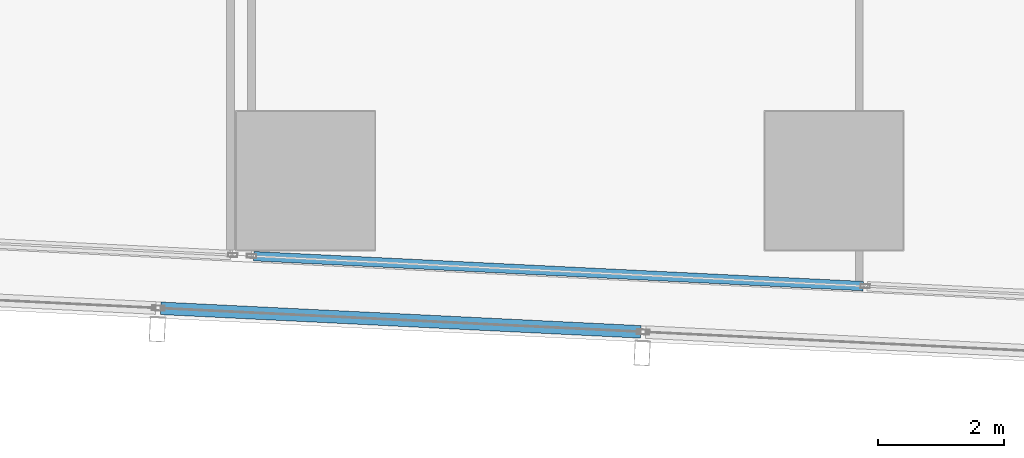
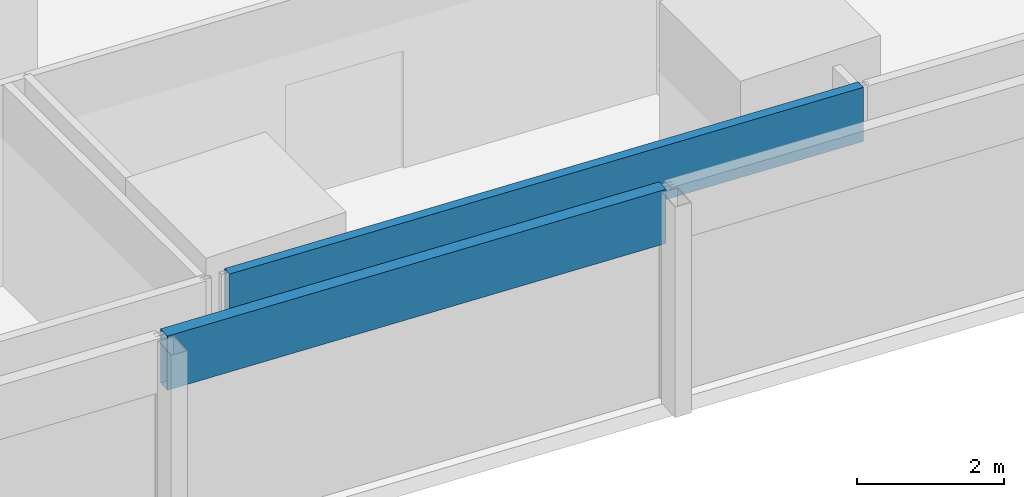
# One storey, part 3 of 42: 2 members, 2 elements without a shape of their own.
"""IFC4 building model written with IfcOpenShell, lengths in metres."""

from ifc_helpers import new_model, si_unit, direction, frame, origin, origin_2d, place, context, subcontext, project, spatial, hollow_rectangle, extrude, material, material_profile, profile_set, type_object, element, aggregate, save


model = new_model("IFC4")

# Units and contexts
model_context = context("Model", 3, precision=1e-05, world=origin(), true_north=direction((0.0, 1.0)))
body_context = subcontext(model_context, "Body", "Model", "MODEL_VIEW")
ifc_project = project(units=[si_unit("LENGTHUNIT", "METRE"), si_unit("AREAUNIT", "SQUARE_METRE"), si_unit("VOLUMEUNIT", "CUBIC_METRE"), si_unit("PLANEANGLEUNIT", "RADIAN"), si_unit("MASSUNIT", "GRAM", prefix="KILO")], contexts=[model_context])

# Site, building, storey
site_placement = place(None, origin())
site = spatial("IfcSite", under=ifc_project, at=site_placement, CompositionType="ELEMENT")
building_placement = place(site_placement, origin())
building = spatial("IfcBuilding", under=site, at=building_placement, Name="Rekha Terrace Tower", CompositionType="ELEMENT")
storey_placement = place(building_placement, frame((0.0, 0.0, 70.39990234375)))
storey = spatial("IfcBuildingStorey", under=building, at=storey_placement, Name="L17", CompositionType="ELEMENT", Elevation=70.39990234375)

# Curtain wall, member
ifc_material_1 = material(Name="Aluminium framing", Category="aluminium")
curtain_wall_type_1 = type_object("IfcCurtainWallType", Name="CW1 double skin inner glazing", PredefinedType="USERDEFINED", material=ifc_material_1)
curtain_wall_1_placement = place(storey_placement, origin())
curtain_wall_1 = element("IfcCurtainWall", 1, at=curtain_wall_1_placement, inside=storey, type_object=curtain_wall_type_1, Name="CW1 double skin inner glazing", ObjectType="DOUBLE SKIN INNER GLAZING", PredefinedType="USERDEFINED")
ifc_material_2 = material(Name="Insulated aluminium spandrel box", Category="aluminium")
ifc_material_profile_1 = material_profile(ifc_material_2, hollow_rectangle(XDim=0.14990234375, YDim=0.89990234375, WallThickness=0.0029296875, at=origin_2d()), Name="AL SPANDREL BOX 150x900")
ifc_profile_set_1 = profile_set([ifc_material_profile_1], Name="Insulated aluminium spandrel box")
member_type_1 = type_object("IfcMemberType", Name="CW1 spandrel transom 150 x 900", PredefinedType="USERDEFINED", material=ifc_profile_set_1)
member_1_placement = place(storey_placement, frame((15.973388671875, 7.200927734375, 3.050048828125), z_axis=(0.99879655824, -0.049045236754, 0.0), x_axis=(0.049045236754, 0.99879655824, 0.0)))
member_1 = element("IfcMember", 2, at=member_1_placement, type_object=member_type_1, Name="CW1 spandrel transom 1", ObjectType="TRANSOM", PredefinedType="USERDEFINED", context=body_context, shape_type="SweptSolid", body=[
    extrude(hollow_rectangle(XDim=0.14990234375, YDim=0.89990234375, WallThickness=0.0029296875, at=origin_2d()), origin(), (0.0, 0.0, 1.0), 9.701904296875),
])
aggregate(curtain_wall_1, [member_1])

curtain_wall_type_2 = type_object("IfcCurtainWallType", Name="CW2 double skin outer glazing", PredefinedType="USERDEFINED", material=ifc_material_1)
curtain_wall_2_placement = place(storey_placement, origin())
curtain_wall_2 = element("IfcCurtainWall", 3, at=curtain_wall_2_placement, inside=storey, type_object=curtain_wall_type_2, Name="CW2 double skin outer glazing", ObjectType="DOUBLE SKIN OUTER GLAZING", PredefinedType="USERDEFINED")
ifc_material_profile_2 = material_profile(ifc_material_2, hollow_rectangle(XDim=0.199951171875, YDim=0.89990234375, WallThickness=0.0029296875, at=origin_2d()), Name="AL SPANDREL BOX 200x900")
ifc_profile_set_2 = profile_set([ifc_material_profile_2], Name="Insulated aluminium spandrel box")
member_type_2 = type_object("IfcMemberType", Name="CW2 spandrel transom 200 x 900", PredefinedType="USERDEFINED", material=ifc_profile_set_2)
member_2_placement = place(storey_placement, frame((14.499755859375, 6.372314453125, 3.050048828125), z_axis=(0.998796511558, -0.049046187417, 0.0), x_axis=(0.049046187417, 0.998796511558, 0.0)))
member_2 = element("IfcMember", 4, at=member_2_placement, type_object=member_type_2, Name="CW2 spandrel transom 2", ObjectType="TRANSOM", PredefinedType="USERDEFINED", context=body_context, shape_type="SweptSolid", body=[
    extrude(hollow_rectangle(XDim=0.199951171875, YDim=0.89990234375, WallThickness=0.0029296875, at=origin_2d()), origin(), (0.0, 0.0, 1.0), 7.635986328125),
])
aggregate(curtain_wall_2, [member_2])

save(model, "model.ifc")
